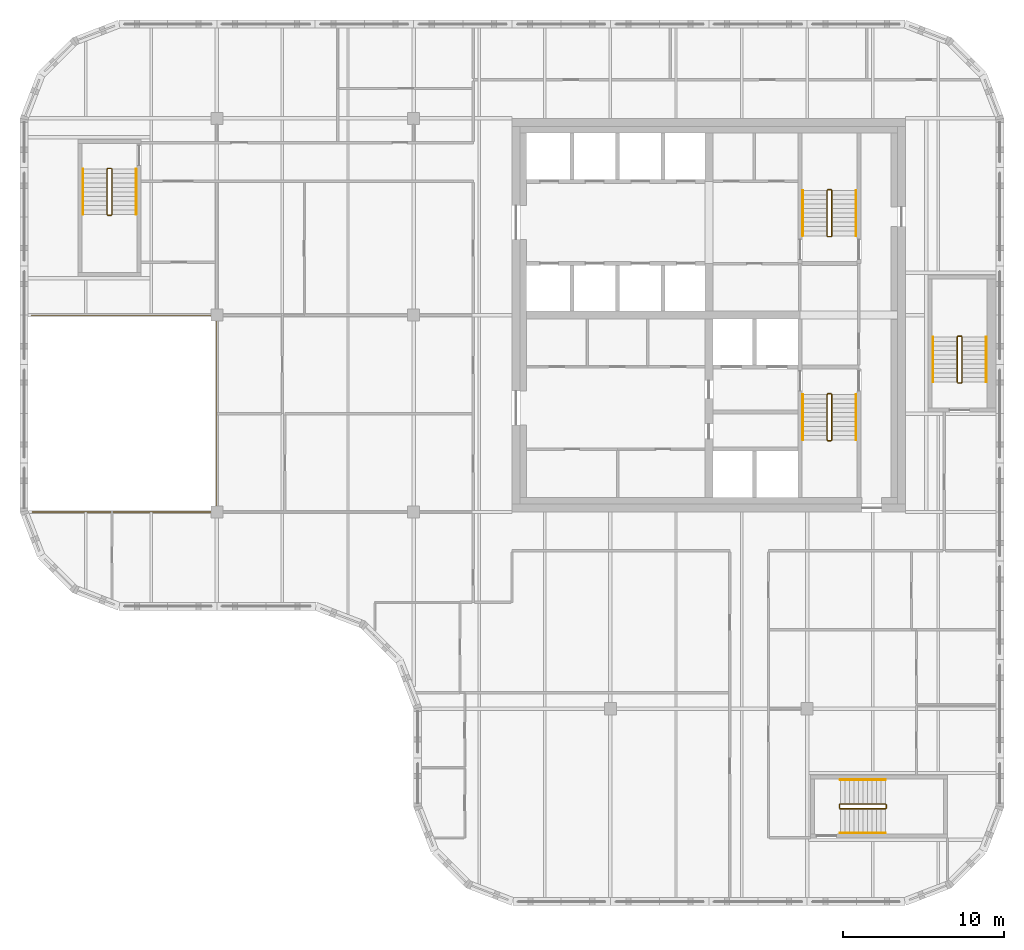
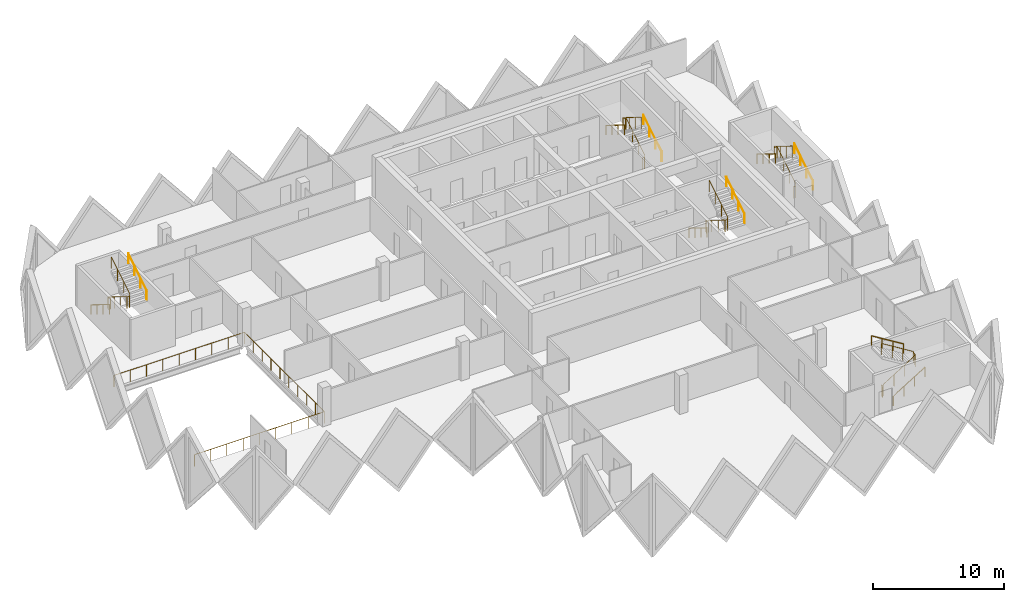
# One storey, part 12 of 12: 16 railings.
"""IFC4 building model written with IfcOpenShell, lengths in metres."""

from ifc_helpers import new_model, si_unit, direction, frame, origin, origin_2d, place, context, subcontext, project, spatial, circle, extrude, material, type_object, element, save


model = new_model("IFC4")

# Units and contexts
model_context = context("Model", 3, precision=1e-05, world=origin(), true_north=direction((0.0, 1.0)))
body_context = subcontext(model_context, "Body", "Model", "MODEL_VIEW")
ifc_project = project(units=[si_unit("LENGTHUNIT", "METRE"), si_unit("AREAUNIT", "SQUARE_METRE"), si_unit("VOLUMEUNIT", "CUBIC_METRE"), si_unit("PLANEANGLEUNIT", "RADIAN"), si_unit("MASSUNIT", "GRAM", prefix="KILO")], contexts=[model_context])

# Site, building, storey
site_placement = place(None, origin())
site = spatial("IfcSite", under=ifc_project, at=site_placement, CompositionType="ELEMENT")
building_placement = place(site_placement, origin())
building = spatial("IfcBuilding", under=site, at=building_placement, Name="Tessera Gate Towers", CompositionType="ELEMENT")
storey_placement = place(building_placement, frame((0.0, 0.0, 216.89990234375)))
storey = spatial("IfcBuildingStorey", under=building, at=storey_placement, Name="L54", CompositionType="ELEMENT", Elevation=216.89990234375)

# Railings
ifc_material_1 = material(Name="Toughened glass with stainless steel handrail", Category="steel")
railing_type_1 = type_object("IfcRailingType", Name="GUARD 1100 GLASS BALUSTRADE", PredefinedType="GUARDRAIL", material=ifc_material_1)
railing_1_placement = place(storey_placement, frame((0.750244140625, 24.39990234375, 0.0)))
element("IfcRailing", 1, at=railing_1_placement, inside=storey, type_object=railing_type_1, Name="Guard", PredefinedType="GUARDRAIL", context=body_context, shape_type="SweptSolid", body=[
    extrude(circle(Radius=0.02490234375, at=origin_2d()), frame((0.0, 0.0, 1.0751953125), z_axis=(1.0, 0.0, 0.0), x_axis=(0.0, 1.0, 0.0)), (0.0, 0.0, 1.0), 11.44970703125),
    extrude(circle(Radius=0.02490234375, at=origin_2d()), frame((11.44970703125, 0.0, 1.0751953125), z_axis=(0.0, 1.0, 0.0), x_axis=(-1.0, 0.0, 0.0)), (0.0, 0.0, 1.0), 12.2001953125),
    extrude(circle(Radius=0.02490234375, at=origin_2d()), frame((11.44970703125, 12.2001953125, 1.0751953125), z_axis=(-1.0, 0.0, 0.0), x_axis=(0.0, -1.0, 0.0)), (0.0, 0.0, 1.0), 11.5),
    extrude(circle(Radius=0.02490234375, at=origin_2d()), origin(), (0.0, 0.0, 1.0), 1.050048828125),
    extrude(circle(Radius=0.02490234375, at=origin_2d()), frame((1.43115234375, 0.0, 0.0)), (0.0, 0.0, 1.0), 1.050048828125),
    extrude(circle(Radius=0.02490234375, at=origin_2d()), frame((2.8623046875, 0.0, 0.0)), (0.0, 0.0, 1.0), 1.050048828125),
    extrude(circle(Radius=0.02490234375, at=origin_2d()), frame((4.293701171875, 0.0, 0.0)), (0.0, 0.0, 1.0), 1.050048828125),
    extrude(circle(Radius=0.02490234375, at=origin_2d()), frame((5.724853515625, 0.0, 0.0)), (0.0, 0.0, 1.0), 1.050048828125),
    extrude(circle(Radius=0.02490234375, at=origin_2d()), frame((7.156005859375, 0.0, 0.0)), (0.0, 0.0, 1.0), 1.050048828125),
    extrude(circle(Radius=0.02490234375, at=origin_2d()), frame((8.58740234375, 0.0, 0.0)), (0.0, 0.0, 1.0), 1.050048828125),
    extrude(circle(Radius=0.02490234375, at=origin_2d()), frame((10.0185546875, 0.0, 0.0)), (0.0, 0.0, 1.0), 1.050048828125),
    extrude(circle(Radius=0.02490234375, at=origin_2d()), frame((11.44970703125, 0.0, 0.0)), (0.0, 0.0, 1.0), 1.050048828125),
    extrude(circle(Radius=0.02490234375, at=origin_2d()), frame((11.44970703125, 1.35546875, 0.0)), (0.0, 0.0, 1.0), 1.050048828125),
    extrude(circle(Radius=0.02490234375, at=origin_2d()), frame((11.44970703125, 2.711181640625, 0.0)), (0.0, 0.0, 1.0), 1.050048828125),
    extrude(circle(Radius=0.02490234375, at=origin_2d()), frame((11.44970703125, 4.066650390625, 0.0)), (0.0, 0.0, 1.0), 1.050048828125),
    extrude(circle(Radius=0.02490234375, at=origin_2d()), frame((11.44970703125, 5.42236328125, 0.0)), (0.0, 0.0, 1.0), 1.050048828125),
    extrude(circle(Radius=0.02490234375, at=origin_2d()), frame((11.44970703125, 6.77783203125, 0.0)), (0.0, 0.0, 1.0), 1.050048828125),
    extrude(circle(Radius=0.02490234375, at=origin_2d()), frame((11.44970703125, 8.133544921875, 0.0)), (0.0, 0.0, 1.0), 1.050048828125),
    extrude(circle(Radius=0.02490234375, at=origin_2d()), frame((11.44970703125, 9.489013671875, 0.0)), (0.0, 0.0, 1.0), 1.050048828125),
    extrude(circle(Radius=0.02490234375, at=origin_2d()), frame((11.44970703125, 10.8447265625, 0.0)), (0.0, 0.0, 1.0), 1.050048828125),
    extrude(circle(Radius=0.02490234375, at=origin_2d()), frame((11.44970703125, 12.2001953125, 0.0)), (0.0, 0.0, 1.0), 1.050048828125),
    extrude(circle(Radius=0.02490234375, at=origin_2d()), frame((10.01220703125, 12.2001953125, 0.0)), (0.0, 0.0, 1.0), 1.050048828125),
    extrude(circle(Radius=0.02490234375, at=origin_2d()), frame((8.57470703125, 12.2001953125, 0.0)), (0.0, 0.0, 1.0), 1.050048828125),
    extrude(circle(Radius=0.02490234375, at=origin_2d()), frame((7.13720703125, 12.2001953125, 0.0)), (0.0, 0.0, 1.0), 1.050048828125),
    extrude(circle(Radius=0.02490234375, at=origin_2d()), frame((5.69970703125, 12.2001953125, 0.0)), (0.0, 0.0, 1.0), 1.050048828125),
    extrude(circle(Radius=0.02490234375, at=origin_2d()), frame((4.26220703125, 12.2001953125, 0.0)), (0.0, 0.0, 1.0), 1.050048828125),
    extrude(circle(Radius=0.02490234375, at=origin_2d()), frame((2.82470703125, 12.2001953125, 0.0)), (0.0, 0.0, 1.0), 1.050048828125),
    extrude(circle(Radius=0.02490234375, at=origin_2d()), frame((1.38720703125, 12.2001953125, 0.0)), (0.0, 0.0, 1.0), 1.050048828125),
    extrude(circle(Radius=0.02490234375, at=origin_2d()), frame((-0.05029296875, 12.2001953125, 0.0)), (0.0, 0.0, 1.0), 1.050048828125),
])
ifc_material_2 = material(Name="Steel 350W", Category="steel")
railing_type_2 = type_object("IfcRailingType", Name="STAIR GUARD 1100", PredefinedType="GUARDRAIL", material=ifc_material_2)
railing_2_placement = place(storey_placement, frame((50.27490234375, 31.72509765625, 0.0)))
element("IfcRailing", 2, at=railing_2_placement, inside=storey, type_object=railing_type_2, Name="L54 ST1 stair guard 1", PredefinedType="GUARDRAIL", context=body_context, shape_type="SweptSolid", body=[
    extrude(circle(Radius=0.02392578125, at=origin_2d()), frame((0.0, 0.0, 1.076171875), z_axis=(-1.0, 0.0, 0.0), x_axis=(0.0, -1.0, 0.0)), (0.0, 0.0, 1.0), 0.199951171875),
    extrude(circle(Radius=0.02392578125, at=origin_2d()), frame((-0.199951171875, 0.0, 1.076171875), z_axis=(-0.267953482034, -0.267953482034, 0.925419830635), x_axis=(0.707106781187, -0.707106781187, 0.0)), (0.0, 0.0, 1.0), 0.186767578125),
    extrude(circle(Radius=0.02392578125, at=origin_2d()), frame((-0.25, -0.050048828125, 1.2490234375), z_axis=(0.0, -0.851089632645, 0.525020415988), x_axis=(1.0, 0.0, 0.0)), (0.0, 0.0, 1.0), 3.2900390625),
    extrude(circle(Radius=0.02392578125, at=origin_2d()), frame((-0.25, -2.85009765625, 2.97607421875), z_axis=(0.707106781187, -0.707106781187, 0.0), x_axis=(0.707106781187, 0.707106781187, 0.0)), (0.0, 0.0, 1.0), 0.07080078125),
    extrude(circle(Radius=0.02392578125, at=origin_2d()), frame((-0.199951171875, -2.900146484375, 2.97607421875), z_axis=(1.0, 0.0, 0.0), x_axis=(0.0, 1.0, 0.0)), (0.0, 0.0, 1.0), 0.199951171875),
    extrude(circle(Radius=0.02392578125, at=origin_2d()), frame((0.0, -2.900146484375, 2.97607421875), z_axis=(0.268277960024, 0.268277960024, 0.925231793839), x_axis=(-0.707106781187, 0.707106781187, 0.0)), (0.0, 0.0, 1.0), 0.1865234375),
    extrude(circle(Radius=0.02392578125, at=origin_2d()), frame((0.050048828125, -2.85009765625, 3.14892578125), z_axis=(0.0, 0.851089632645, 0.525020415988), x_axis=(-1.0, 0.0, 0.0)), (0.0, 0.0, 1.0), 3.2900390625),
    extrude(circle(Radius=0.02099609375, at=origin_2d()), origin(), (0.0, 0.0, 1.0), 1.052001953125),
    extrude(circle(Radius=0.02099609375, at=origin_2d()), frame((-0.199951171875, 0.0, 0.0)), (0.0, 0.0, 1.0), 1.052001953125),
    extrude(circle(Radius=0.02099609375, at=origin_2d()), frame((-0.25, -0.050048828125, 0.1728515625)), (0.0, 0.0, 1.0), 1.052001953125),
    extrude(circle(Radius=0.02099609375, at=origin_2d()), frame((-0.25, -0.9833984375, 0.74853515625)), (0.0, 0.0, 1.0), 1.052001953125),
    extrude(circle(Radius=0.02099609375, at=origin_2d()), frame((-0.25, -1.916748046875, 1.324462890625)), (0.0, 0.0, 1.0), 1.052001953125),
    extrude(circle(Radius=0.02099609375, at=origin_2d()), frame((-0.25, -2.85009765625, 1.900146484375)), (0.0, 0.0, 1.0), 1.052001953125),
    extrude(circle(Radius=0.02099609375, at=origin_2d()), frame((-0.199951171875, -2.900146484375, 1.900146484375)), (0.0, 0.0, 1.0), 1.052001953125),
    extrude(circle(Radius=0.02099609375, at=origin_2d()), frame((0.0, -2.900146484375, 1.900146484375)), (0.0, 0.0, 1.0), 1.052001953125),
    extrude(circle(Radius=0.02099609375, at=origin_2d()), frame((0.050048828125, -2.85009765625, 2.07275390625)), (0.0, 0.0, 1.0), 1.052001953125),
    extrude(circle(Radius=0.02099609375, at=origin_2d()), frame((0.050048828125, -1.916748046875, 2.6484375)), (0.0, 0.0, 1.0), 1.052001953125),
    extrude(circle(Radius=0.02099609375, at=origin_2d()), frame((0.050048828125, -0.9833984375, 3.224365234375)), (0.0, 0.0, 1.0), 1.052001953125),
    extrude(circle(Radius=0.02099609375, at=origin_2d()), frame((0.050048828125, -0.050048828125, 3.800048828125)), (0.0, 0.0, 1.0), 1.052001953125),
])
railing_3_placement = place(storey_placement, frame((50.074951171875, 41.47509765625, 0.0)))
element("IfcRailing", 3, at=railing_3_placement, inside=storey, type_object=railing_type_2, Name="L54 ST2 stair guard 1", PredefinedType="GUARDRAIL", context=body_context, shape_type="SweptSolid", body=[
    extrude(circle(Radius=0.02392578125, at=origin_2d()), frame((0.0, 0.0, 1.076171875), z_axis=(1.0, 0.0, 0.0), x_axis=(0.0, 1.0, 0.0)), (0.0, 0.0, 1.0), 0.199951171875),
    extrude(circle(Radius=0.02392578125, at=origin_2d()), frame((0.199951171875, 0.0, 1.076171875), z_axis=(0.268047150085, 0.266739603011, 0.925743328097), x_axis=(-0.705375805398, 0.708833529934, 0.0)), (0.0, 0.0, 1.0), 0.186767578125),
    extrude(circle(Radius=0.02392578125, at=origin_2d()), frame((0.25, 0.0498046875, 1.2490234375), z_axis=(0.0, 0.851089632645, 0.525020415988), x_axis=(-1.0, 0.0, 0.0)), (0.0, 0.0, 1.0), 3.2900390625),
    extrude(circle(Radius=0.02392578125, at=origin_2d()), frame((0.25, 2.849853515625, 2.97607421875), z_axis=(-0.707106781187, 0.707106781187, 0.0), x_axis=(-0.707106781187, -0.707106781187, 0.0)), (0.0, 0.0, 1.0), 0.07080078125),
    extrude(circle(Radius=0.02392578125, at=origin_2d()), frame((0.199951171875, 2.89990234375, 2.97607421875), z_axis=(-1.0, 0.0, 0.0), x_axis=(0.0, -1.0, 0.0)), (0.0, 0.0, 1.0), 0.199951171875),
    extrude(circle(Radius=0.02392578125, at=origin_2d()), frame((0.0, 2.89990234375, 2.97607421875), z_axis=(-0.268277960024, -0.268277960024, 0.925231793839), x_axis=(0.707106781187, -0.707106781187, 0.0)), (0.0, 0.0, 1.0), 0.1865234375),
    extrude(circle(Radius=0.02392578125, at=origin_2d()), frame((-0.050048828125, 2.849853515625, 3.14892578125), z_axis=(0.0, -0.851089632645, 0.525020415988), x_axis=(1.0, 0.0, 0.0)), (0.0, 0.0, 1.0), 3.2900390625),
    extrude(circle(Radius=0.02099609375, at=origin_2d()), origin(), (0.0, 0.0, 1.0), 1.052001953125),
    extrude(circle(Radius=0.02099609375, at=origin_2d()), frame((0.199951171875, 0.0, 0.0)), (0.0, 0.0, 1.0), 1.052001953125),
    extrude(circle(Radius=0.02099609375, at=origin_2d()), frame((0.25, 0.0498046875, 0.1728515625)), (0.0, 0.0, 1.0), 1.052001953125),
    extrude(circle(Radius=0.02099609375, at=origin_2d()), frame((0.25, 0.983154296875, 0.74853515625)), (0.0, 0.0, 1.0), 1.052001953125),
    extrude(circle(Radius=0.02099609375, at=origin_2d()), frame((0.25, 1.91650390625, 1.324462890625)), (0.0, 0.0, 1.0), 1.052001953125),
    extrude(circle(Radius=0.02099609375, at=origin_2d()), frame((0.25, 2.849853515625, 1.900146484375)), (0.0, 0.0, 1.0), 1.052001953125),
    extrude(circle(Radius=0.02099609375, at=origin_2d()), frame((0.199951171875, 2.89990234375, 1.900146484375)), (0.0, 0.0, 1.0), 1.052001953125),
    extrude(circle(Radius=0.02099609375, at=origin_2d()), frame((0.0, 2.89990234375, 1.900146484375)), (0.0, 0.0, 1.0), 1.052001953125),
    extrude(circle(Radius=0.02099609375, at=origin_2d()), frame((-0.050048828125, 2.849853515625, 2.07275390625)), (0.0, 0.0, 1.0), 1.052001953125),
    extrude(circle(Radius=0.02099609375, at=origin_2d()), frame((-0.050048828125, 1.91650390625, 2.6484375)), (0.0, 0.0, 1.0), 1.052001953125),
    extrude(circle(Radius=0.02099609375, at=origin_2d()), frame((-0.050048828125, 0.983154296875, 3.224365234375)), (0.0, 0.0, 1.0), 1.052001953125),
    extrude(circle(Radius=0.02099609375, at=origin_2d()), frame((-0.050048828125, 0.0498046875, 3.800048828125)), (0.0, 0.0, 1.0), 1.052001953125),
])
railing_4_placement = place(storey_placement, frame((5.64990234375, 45.699951171875, 0.0)))
element("IfcRailing", 4, at=railing_4_placement, inside=storey, type_object=railing_type_2, Name="L54 ST3 stair guard 1", PredefinedType="GUARDRAIL", context=body_context, shape_type="SweptSolid", body=[
    extrude(circle(Radius=0.02392578125, at=origin_2d()), frame((0.0, 0.0, 1.076171875), z_axis=(-1.0, 0.0, 0.0), x_axis=(0.0, -1.0, 0.0)), (0.0, 0.0, 1.0), 0.199951171875),
    extrude(circle(Radius=0.02392578125, at=origin_2d()), frame((-0.199951171875, 0.0, 1.076171875), z_axis=(-0.267953482034, -0.267953482034, 0.925419830635), x_axis=(0.707106781187, -0.707106781187, 0.0)), (0.0, 0.0, 1.0), 0.186767578125),
    extrude(circle(Radius=0.02392578125, at=origin_2d()), frame((-0.25, -0.050048828125, 1.2490234375), z_axis=(0.0, -0.851069175582, 0.525053576669), x_axis=(1.0, 0.0, 0.0)), (0.0, 0.0, 1.0), 3.289794921875),
    extrude(circle(Radius=0.02392578125, at=origin_2d()), frame((-0.25, -2.849853515625, 2.97607421875), z_axis=(0.707106781187, -0.707106781187, 0.0), x_axis=(0.707106781187, 0.707106781187, 0.0)), (0.0, 0.0, 1.0), 0.07080078125),
    extrude(circle(Radius=0.02392578125, at=origin_2d()), frame((-0.199951171875, -2.89990234375, 2.97607421875), z_axis=(1.0, 0.0, 0.0), x_axis=(0.0, 1.0, 0.0)), (0.0, 0.0, 1.0), 0.199951171875),
    extrude(circle(Radius=0.02392578125, at=origin_2d()), frame((0.0, -2.89990234375, 2.97607421875), z_axis=(0.268277960024, 0.268277960024, 0.925231793839), x_axis=(-0.707106781187, 0.707106781187, 0.0)), (0.0, 0.0, 1.0), 0.1865234375),
    extrude(circle(Radius=0.02392578125, at=origin_2d()), frame((0.050048828125, -2.849853515625, 3.14892578125), z_axis=(0.0, 0.851069175582, 0.525053576669), x_axis=(-1.0, 0.0, 0.0)), (0.0, 0.0, 1.0), 3.289794921875),
    extrude(circle(Radius=0.02099609375, at=origin_2d()), origin(), (0.0, 0.0, 1.0), 1.052001953125),
    extrude(circle(Radius=0.02099609375, at=origin_2d()), frame((-0.199951171875, 0.0, 0.0)), (0.0, 0.0, 1.0), 1.052001953125),
    extrude(circle(Radius=0.02099609375, at=origin_2d()), frame((-0.25, -0.050048828125, 0.1728515625)), (0.0, 0.0, 1.0), 1.052001953125),
    extrude(circle(Radius=0.02099609375, at=origin_2d()), frame((-0.25, -0.9833984375, 0.74853515625)), (0.0, 0.0, 1.0), 1.052001953125),
    extrude(circle(Radius=0.02099609375, at=origin_2d()), frame((-0.25, -1.91650390625, 1.324462890625)), (0.0, 0.0, 1.0), 1.052001953125),
    extrude(circle(Radius=0.02099609375, at=origin_2d()), frame((-0.25, -2.849853515625, 1.900146484375)), (0.0, 0.0, 1.0), 1.052001953125),
    extrude(circle(Radius=0.02099609375, at=origin_2d()), frame((-0.199951171875, -2.89990234375, 1.900146484375)), (0.0, 0.0, 1.0), 1.052001953125),
    extrude(circle(Radius=0.02099609375, at=origin_2d()), frame((0.0, -2.89990234375, 1.900146484375)), (0.0, 0.0, 1.0), 1.052001953125),
    extrude(circle(Radius=0.02099609375, at=origin_2d()), frame((0.050048828125, -2.849853515625, 2.07275390625)), (0.0, 0.0, 1.0), 1.052001953125),
    extrude(circle(Radius=0.02099609375, at=origin_2d()), frame((0.050048828125, -1.91650390625, 2.6484375)), (0.0, 0.0, 1.0), 1.052001953125),
    extrude(circle(Radius=0.02099609375, at=origin_2d()), frame((0.050048828125, -0.9833984375, 3.224365234375)), (0.0, 0.0, 1.0), 1.052001953125),
    extrude(circle(Radius=0.02099609375, at=origin_2d()), frame((0.050048828125, -0.050048828125, 3.800048828125)), (0.0, 0.0, 1.0), 1.052001953125),
])
railing_5_placement = place(storey_placement, frame((50.800048828125, 6.25, 0.0)))
element("IfcRailing", 5, at=railing_5_placement, inside=storey, type_object=railing_type_2, Name="L54 ST4 stair guard 1", PredefinedType="GUARDRAIL", context=body_context, shape_type="SweptSolid", body=[
    extrude(circle(Radius=0.02392578125, at=origin_2d()), frame((0.0, 0.0, 1.076171875), z_axis=(0.0, -1.0, 0.0), x_axis=(1.0, 0.0, 0.0)), (0.0, 0.0, 1.0), 0.199951171875),
    extrude(circle(Radius=0.02392578125, at=origin_2d()), frame((0.0, -0.199951171875, 1.076171875), z_axis=(0.267953482034, -0.267953482034, 0.925419830635), x_axis=(0.707106781187, 0.707106781187, 0.0)), (0.0, 0.0, 1.0), 0.186767578125),
    extrude(circle(Radius=0.02392578125, at=origin_2d()), frame((0.050048828125, -0.25, 1.2490234375), z_axis=(0.851069175582, 0.0, 0.525053576669), x_axis=(0.0, 1.0, 0.0)), (0.0, 0.0, 1.0), 3.289794921875),
    extrude(circle(Radius=0.02392578125, at=origin_2d()), frame((2.849853515625, -0.25, 2.97607421875), z_axis=(0.707106781187, 0.707106781187, 0.0), x_axis=(-0.707106781187, 0.707106781187, 0.0)), (0.0, 0.0, 1.0), 0.07080078125),
    extrude(circle(Radius=0.02392578125, at=origin_2d()), frame((2.89990234375, -0.199951171875, 2.97607421875), z_axis=(0.0, 1.0, 0.0), x_axis=(-1.0, 0.0, 0.0)), (0.0, 0.0, 1.0), 0.199951171875),
    extrude(circle(Radius=0.02392578125, at=origin_2d()), frame((2.89990234375, 0.0, 2.97607421875), z_axis=(-0.268277960024, 0.268277960024, 0.925231793839), x_axis=(-0.707106781187, -0.707106781187, 0.0)), (0.0, 0.0, 1.0), 0.1865234375),
    extrude(circle(Radius=0.02392578125, at=origin_2d()), frame((2.849853515625, 0.050048828125, 3.14892578125), z_axis=(-0.851069175582, 0.0, 0.525053576669), x_axis=(0.0, -1.0, 0.0)), (0.0, 0.0, 1.0), 3.289794921875),
    extrude(circle(Radius=0.02099609375, at=origin_2d()), origin(), (0.0, 0.0, 1.0), 1.052001953125),
    extrude(circle(Radius=0.02099609375, at=origin_2d()), frame((0.0, -0.199951171875, 0.0)), (0.0, 0.0, 1.0), 1.052001953125),
    extrude(circle(Radius=0.02099609375, at=origin_2d()), frame((0.050048828125, -0.25, 0.1728515625)), (0.0, 0.0, 1.0), 1.052001953125),
    extrude(circle(Radius=0.02099609375, at=origin_2d()), frame((0.9833984375, -0.25, 0.74853515625)), (0.0, 0.0, 1.0), 1.052001953125),
    extrude(circle(Radius=0.02099609375, at=origin_2d()), frame((1.91650390625, -0.25, 1.324462890625)), (0.0, 0.0, 1.0), 1.052001953125),
    extrude(circle(Radius=0.02099609375, at=origin_2d()), frame((2.849853515625, -0.25, 1.900146484375)), (0.0, 0.0, 1.0), 1.052001953125),
    extrude(circle(Radius=0.02099609375, at=origin_2d()), frame((2.89990234375, -0.199951171875, 1.900146484375)), (0.0, 0.0, 1.0), 1.052001953125),
    extrude(circle(Radius=0.02099609375, at=origin_2d()), frame((2.89990234375, 0.0, 1.900146484375)), (0.0, 0.0, 1.0), 1.052001953125),
    extrude(circle(Radius=0.02099609375, at=origin_2d()), frame((2.849853515625, 0.050048828125, 2.07275390625)), (0.0, 0.0, 1.0), 1.052001953125),
    extrude(circle(Radius=0.02099609375, at=origin_2d()), frame((1.91650390625, 0.050048828125, 2.6484375)), (0.0, 0.0, 1.0), 1.052001953125),
    extrude(circle(Radius=0.02099609375, at=origin_2d()), frame((0.9833984375, 0.050048828125, 3.224365234375)), (0.0, 0.0, 1.0), 1.052001953125),
    extrude(circle(Radius=0.02099609375, at=origin_2d()), frame((0.050048828125, 0.050048828125, 3.800048828125)), (0.0, 0.0, 1.0), 1.052001953125),
])
railing_6_placement = place(storey_placement, frame((58.14990234375, 32.39990234375, 0.0)))
element("IfcRailing", 6, at=railing_6_placement, inside=storey, type_object=railing_type_2, Name="L54 ST5 stair guard 1", PredefinedType="GUARDRAIL", context=body_context, shape_type="SweptSolid", body=[
    extrude(circle(Radius=0.02392578125, at=origin_2d()), frame((0.0, 0.0, 1.076171875), z_axis=(1.0, 0.0, 0.0), x_axis=(0.0, 1.0, 0.0)), (0.0, 0.0, 1.0), 0.2001953125),
    extrude(circle(Radius=0.02392578125, at=origin_2d()), frame((0.2001953125, 0.0, 1.076171875), z_axis=(0.266739603011, 0.268047150085, 0.925743328097), x_axis=(-0.708833529934, 0.705375805398, 0.0)), (0.0, 0.0, 1.0), 0.186767578125),
    extrude(circle(Radius=0.02392578125, at=origin_2d()), frame((0.25, 0.050048828125, 1.2490234375), z_axis=(0.0, 0.851089632645, 0.525020415988), x_axis=(-1.0, 0.0, 0.0)), (0.0, 0.0, 1.0), 3.2900390625),
    extrude(circle(Radius=0.02392578125, at=origin_2d()), frame((0.25, 2.85009765625, 2.97607421875), z_axis=(-0.705375805398, 0.708833529934, 0.0), x_axis=(-0.708833529934, -0.705375805398, 0.0)), (0.0, 0.0, 1.0), 0.070556640625),
    extrude(circle(Radius=0.02392578125, at=origin_2d()), frame((0.2001953125, 2.900146484375, 2.97607421875), z_axis=(-1.0, 0.0, 0.0), x_axis=(0.0, -1.0, 0.0)), (0.0, 0.0, 1.0), 0.2001953125),
    extrude(circle(Radius=0.02392578125, at=origin_2d()), frame((0.0, 2.900146484375, 2.97607421875), z_axis=(-0.267062837333, -0.268371968888, 0.925556009775), x_axis=(0.708833529934, -0.705375805398, 0.0)), (0.0, 0.0, 1.0), 0.1865234375),
    extrude(circle(Radius=0.02392578125, at=origin_2d()), frame((-0.0498046875, 2.85009765625, 3.14892578125), z_axis=(0.0, -0.851089632645, 0.525020415988), x_axis=(1.0, 0.0, 0.0)), (0.0, 0.0, 1.0), 3.2900390625),
    extrude(circle(Radius=0.02099609375, at=origin_2d()), origin(), (0.0, 0.0, 1.0), 1.052001953125),
    extrude(circle(Radius=0.02099609375, at=origin_2d()), frame((0.2001953125, 0.0, 0.0)), (0.0, 0.0, 1.0), 1.052001953125),
    extrude(circle(Radius=0.02099609375, at=origin_2d()), frame((0.25, 0.050048828125, 0.1728515625)), (0.0, 0.0, 1.0), 1.052001953125),
    extrude(circle(Radius=0.02099609375, at=origin_2d()), frame((0.25, 0.9833984375, 0.74853515625)), (0.0, 0.0, 1.0), 1.052001953125),
    extrude(circle(Radius=0.02099609375, at=origin_2d()), frame((0.25, 1.916748046875, 1.324462890625)), (0.0, 0.0, 1.0), 1.052001953125),
    extrude(circle(Radius=0.02099609375, at=origin_2d()), frame((0.25, 2.85009765625, 1.900146484375)), (0.0, 0.0, 1.0), 1.052001953125),
    extrude(circle(Radius=0.02099609375, at=origin_2d()), frame((0.2001953125, 2.900146484375, 1.900146484375)), (0.0, 0.0, 1.0), 1.052001953125),
    extrude(circle(Radius=0.02099609375, at=origin_2d()), frame((0.0, 2.900146484375, 1.900146484375)), (0.0, 0.0, 1.0), 1.052001953125),
    extrude(circle(Radius=0.02099609375, at=origin_2d()), frame((-0.0498046875, 2.85009765625, 2.07275390625)), (0.0, 0.0, 1.0), 1.052001953125),
    extrude(circle(Radius=0.02099609375, at=origin_2d()), frame((-0.0498046875, 1.916748046875, 2.6484375)), (0.0, 0.0, 1.0), 1.052001953125),
    extrude(circle(Radius=0.02099609375, at=origin_2d()), frame((-0.0498046875, 0.9833984375, 3.224365234375)), (0.0, 0.0, 1.0), 1.052001953125),
    extrude(circle(Radius=0.02099609375, at=origin_2d()), frame((-0.0498046875, 0.050048828125, 3.800048828125)), (0.0, 0.0, 1.0), 1.052001953125),
])
ifc_material_3 = material(Name="Steel 350W", Category="steel")
railing_type_3 = type_object("IfcRailingType", Name="STAIR HANDRAIL 900", PredefinedType="HANDRAIL", material=ifc_material_3)
railing_7_placement = place(storey_placement, frame((48.52490234375, 31.675048828125, 0.1728515625)))
element("IfcRailing", 7, at=railing_7_placement, inside=storey, type_object=railing_type_3, Name="L54 ST1 stair handrail 1", PredefinedType="HANDRAIL", context=body_context, shape_type="SweptSolid", body=[
    extrude(circle(Radius=0.02392578125, at=origin_2d()), frame((0.0, 0.0, 0.8759765625), z_axis=(0.0, -0.851089632645, 0.525020415988), x_axis=(1.0, 0.0, 0.0)), (0.0, 0.0, 1.0), 3.2900390625),
    extrude(circle(Radius=0.02099609375, at=origin_2d()), origin(), (0.0, 0.0, 1.0), 0.851806640625),
    extrude(circle(Radius=0.02099609375, at=origin_2d()), frame((0.0, -0.933349609375, 0.57568359375)), (0.0, 0.0, 1.0), 0.851806640625),
    extrude(circle(Radius=0.02099609375, at=origin_2d()), frame((0.0, -1.86669921875, 1.151611328125)), (0.0, 0.0, 1.0), 0.851806640625),
    extrude(circle(Radius=0.02099609375, at=origin_2d()), frame((0.0, -2.800048828125, 1.727294921875)), (0.0, 0.0, 1.0), 0.851806640625),
])
for number, where, name in (
    (8, (51.824951171875, 28.875, 2.07275390625), "L54 ST1 stair handrail 2"),
    (9, (51.824951171875, 41.52490234375, 0.1728515625), "L54 ST2 stair handrail 1"),
):
    element("IfcRailing", number, at=place(storey_placement, frame(where)), inside=storey, type_object=railing_type_3, Name=name, PredefinedType="HANDRAIL", context=body_context, shape_type="SweptSolid", body=[
        extrude(circle(Radius=0.02392578125, at=origin_2d()), frame((0.0, 0.0, 0.8759765625), z_axis=(0.0, 0.851089632645, 0.525020415988), x_axis=(-1.0, 0.0, 0.0)), (0.0, 0.0, 1.0), 3.2900390625),
        extrude(circle(Radius=0.02099609375, at=origin_2d()), origin(), (0.0, 0.0, 1.0), 0.851806640625),
        extrude(circle(Radius=0.02099609375, at=origin_2d()), frame((0.0, 0.933349609375, 0.57568359375)), (0.0, 0.0, 1.0), 0.851806640625),
        extrude(circle(Radius=0.02099609375, at=origin_2d()), frame((0.0, 1.86669921875, 1.151611328125)), (0.0, 0.0, 1.0), 0.851806640625),
        extrude(circle(Radius=0.02099609375, at=origin_2d()), frame((0.0, 2.800048828125, 1.727294921875)), (0.0, 0.0, 1.0), 0.851806640625),
    ])
railing_8_placement = place(storey_placement, frame((48.52490234375, 44.324951171875, 2.07275390625)))
element("IfcRailing", 10, at=railing_8_placement, inside=storey, type_object=railing_type_3, Name="L54 ST2 stair handrail 2", PredefinedType="HANDRAIL", context=body_context, shape_type="SweptSolid", body=[
    extrude(circle(Radius=0.02392578125, at=origin_2d()), frame((0.0, 0.0, 0.8759765625), z_axis=(0.0, -0.851089632645, 0.525020415988), x_axis=(1.0, 0.0, 0.0)), (0.0, 0.0, 1.0), 3.2900390625),
    extrude(circle(Radius=0.02099609375, at=origin_2d()), origin(), (0.0, 0.0, 1.0), 0.851806640625),
    extrude(circle(Radius=0.02099609375, at=origin_2d()), frame((0.0, -0.933349609375, 0.57568359375)), (0.0, 0.0, 1.0), 0.851806640625),
    extrude(circle(Radius=0.02099609375, at=origin_2d()), frame((0.0, -1.86669921875, 1.151611328125)), (0.0, 0.0, 1.0), 0.851806640625),
    extrude(circle(Radius=0.02099609375, at=origin_2d()), frame((0.0, -2.800048828125, 1.727294921875)), (0.0, 0.0, 1.0), 0.851806640625),
])
railing_9_placement = place(storey_placement, frame((3.89990234375, 45.64990234375, 0.1728515625)))
element("IfcRailing", 11, at=railing_9_placement, inside=storey, type_object=railing_type_3, Name="L54 ST3 stair handrail 1", PredefinedType="HANDRAIL", context=body_context, shape_type="SweptSolid", body=[
    extrude(circle(Radius=0.02392578125, at=origin_2d()), frame((0.0, 0.0, 0.8759765625), z_axis=(0.0, -0.851069175582, 0.525053576669), x_axis=(1.0, 0.0, 0.0)), (0.0, 0.0, 1.0), 3.289794921875),
    extrude(circle(Radius=0.02099609375, at=origin_2d()), origin(), (0.0, 0.0, 1.0), 0.851806640625),
    extrude(circle(Radius=0.02099609375, at=origin_2d()), frame((0.0, -0.933349609375, 0.57568359375)), (0.0, 0.0, 1.0), 0.851806640625),
    extrude(circle(Radius=0.02099609375, at=origin_2d()), frame((0.0, -1.866455078125, 1.151611328125)), (0.0, 0.0, 1.0), 0.851806640625),
    extrude(circle(Radius=0.02099609375, at=origin_2d()), frame((0.0, -2.7998046875, 1.727294921875)), (0.0, 0.0, 1.0), 0.851806640625),
])
railing_10_placement = place(storey_placement, frame((7.199951171875, 42.85009765625, 2.07275390625)))
element("IfcRailing", 12, at=railing_10_placement, inside=storey, type_object=railing_type_3, Name="L54 ST3 stair handrail 2", PredefinedType="HANDRAIL", context=body_context, shape_type="SweptSolid", body=[
    extrude(circle(Radius=0.02392578125, at=origin_2d()), frame((0.0, 0.0, 0.8759765625), z_axis=(0.0, 0.851069175582, 0.525053576669), x_axis=(-1.0, 0.0, 0.0)), (0.0, 0.0, 1.0), 3.289794921875),
    extrude(circle(Radius=0.02099609375, at=origin_2d()), origin(), (0.0, 0.0, 1.0), 0.851806640625),
    extrude(circle(Radius=0.02099609375, at=origin_2d()), frame((0.0, 0.933349609375, 0.57568359375)), (0.0, 0.0, 1.0), 0.851806640625),
    extrude(circle(Radius=0.02099609375, at=origin_2d()), frame((0.0, 1.866455078125, 1.151611328125)), (0.0, 0.0, 1.0), 0.851806640625),
    extrude(circle(Radius=0.02099609375, at=origin_2d()), frame((0.0, 2.7998046875, 1.727294921875)), (0.0, 0.0, 1.0), 0.851806640625),
])
railing_11_placement = place(storey_placement, frame((50.85009765625, 4.5, 0.1728515625)))
element("IfcRailing", 13, at=railing_11_placement, inside=storey, type_object=railing_type_3, Name="L54 ST4 stair handrail 1", PredefinedType="HANDRAIL", context=body_context, shape_type="SweptSolid", body=[
    extrude(circle(Radius=0.02392578125, at=origin_2d()), frame((0.0, 0.0, 0.8759765625), z_axis=(0.851069175582, 0.0, 0.525053576669), x_axis=(0.0, 1.0, 0.0)), (0.0, 0.0, 1.0), 3.289794921875),
    extrude(circle(Radius=0.02099609375, at=origin_2d()), origin(), (0.0, 0.0, 1.0), 0.851806640625),
    extrude(circle(Radius=0.02099609375, at=origin_2d()), frame((0.933349609375, 0.0, 0.57568359375)), (0.0, 0.0, 1.0), 0.851806640625),
    extrude(circle(Radius=0.02099609375, at=origin_2d()), frame((1.866455078125, 0.0, 1.151611328125)), (0.0, 0.0, 1.0), 0.851806640625),
    extrude(circle(Radius=0.02099609375, at=origin_2d()), frame((2.7998046875, 0.0, 1.727294921875)), (0.0, 0.0, 1.0), 0.851806640625),
])
railing_12_placement = place(storey_placement, frame((53.64990234375, 7.800048828125, 2.07275390625)))
element("IfcRailing", 14, at=railing_12_placement, inside=storey, type_object=railing_type_3, Name="L54 ST4 stair handrail 2", PredefinedType="HANDRAIL", context=body_context, shape_type="SweptSolid", body=[
    extrude(circle(Radius=0.02392578125, at=origin_2d()), frame((0.0, 0.0, 0.8759765625), z_axis=(-0.851069175582, 0.0, 0.525053576669), x_axis=(0.0, -1.0, 0.0)), (0.0, 0.0, 1.0), 3.289794921875),
    extrude(circle(Radius=0.02099609375, at=origin_2d()), origin(), (0.0, 0.0, 1.0), 0.851806640625),
    extrude(circle(Radius=0.02099609375, at=origin_2d()), frame((-0.933349609375, 0.0, 0.57568359375)), (0.0, 0.0, 1.0), 0.851806640625),
    extrude(circle(Radius=0.02099609375, at=origin_2d()), frame((-1.866455078125, 0.0, 1.151611328125)), (0.0, 0.0, 1.0), 0.851806640625),
    extrude(circle(Radius=0.02099609375, at=origin_2d()), frame((-2.7998046875, 0.0, 1.727294921875)), (0.0, 0.0, 1.0), 0.851806640625),
])
railing_13_placement = place(storey_placement, frame((59.89990234375, 32.449951171875, 0.1728515625)))
element("IfcRailing", 15, at=railing_13_placement, inside=storey, type_object=railing_type_3, Name="L54 ST5 stair handrail 1", PredefinedType="HANDRAIL", context=body_context, shape_type="SweptSolid", body=[
    extrude(circle(Radius=0.02392578125, at=origin_2d()), frame((0.0, 0.0, 0.8759765625), z_axis=(0.0, 0.851089632645, 0.525020415988), x_axis=(-1.0, 0.0, 0.0)), (0.0, 0.0, 1.0), 3.2900390625),
    extrude(circle(Radius=0.02099609375, at=origin_2d()), origin(), (0.0, 0.0, 1.0), 0.851806640625),
    extrude(circle(Radius=0.02099609375, at=origin_2d()), frame((0.0, 0.933349609375, 0.57568359375)), (0.0, 0.0, 1.0), 0.851806640625),
    extrude(circle(Radius=0.02099609375, at=origin_2d()), frame((0.0, 1.86669921875, 1.151611328125)), (0.0, 0.0, 1.0), 0.851806640625),
    extrude(circle(Radius=0.02099609375, at=origin_2d()), frame((0.0, 2.800048828125, 1.727294921875)), (0.0, 0.0, 1.0), 0.851806640625),
])
railing_14_placement = place(storey_placement, frame((56.60009765625, 35.25, 2.07275390625)))
element("IfcRailing", 16, at=railing_14_placement, inside=storey, type_object=railing_type_3, Name="L54 ST5 stair handrail 2", PredefinedType="HANDRAIL", context=body_context, shape_type="SweptSolid", body=[
    extrude(circle(Radius=0.02392578125, at=origin_2d()), frame((0.0, 0.0, 0.8759765625), z_axis=(0.0, -0.851089632645, 0.525020415988), x_axis=(1.0, 0.0, 0.0)), (0.0, 0.0, 1.0), 3.2900390625),
    extrude(circle(Radius=0.02099609375, at=origin_2d()), origin(), (0.0, 0.0, 1.0), 0.851806640625),
    extrude(circle(Radius=0.02099609375, at=origin_2d()), frame((0.0, -0.933349609375, 0.57568359375)), (0.0, 0.0, 1.0), 0.851806640625),
    extrude(circle(Radius=0.02099609375, at=origin_2d()), frame((0.0, -1.86669921875, 1.151611328125)), (0.0, 0.0, 1.0), 0.851806640625),
    extrude(circle(Radius=0.02099609375, at=origin_2d()), frame((0.0, -2.800048828125, 1.727294921875)), (0.0, 0.0, 1.0), 0.851806640625),
])

save(model, "model.ifc")
